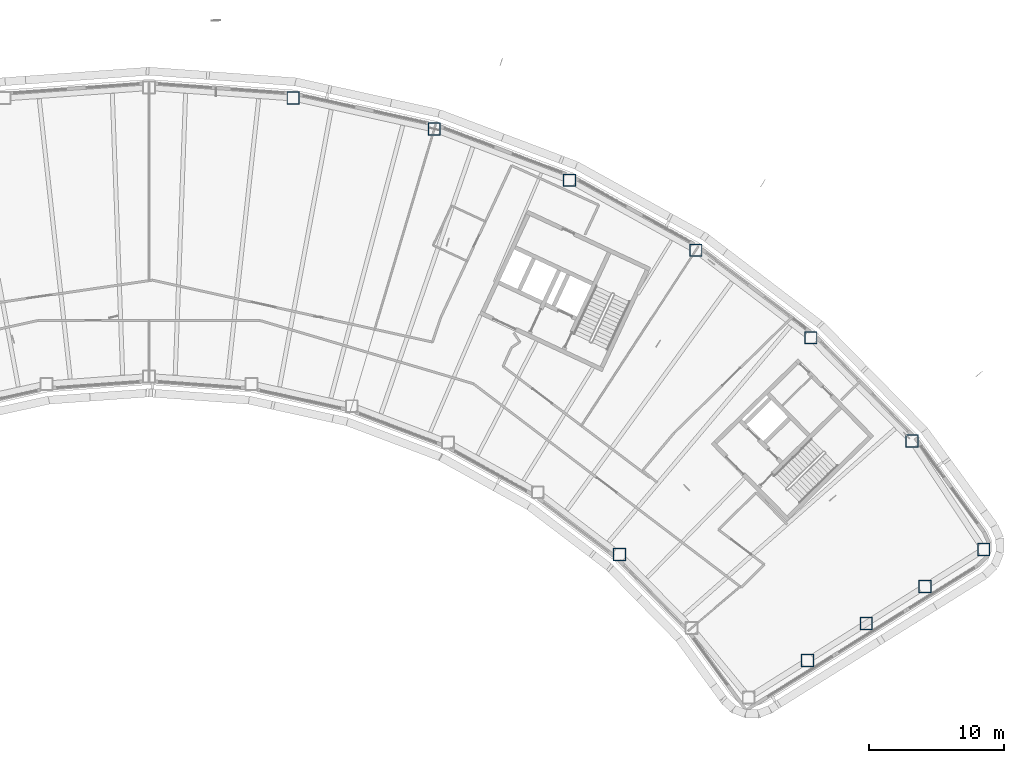
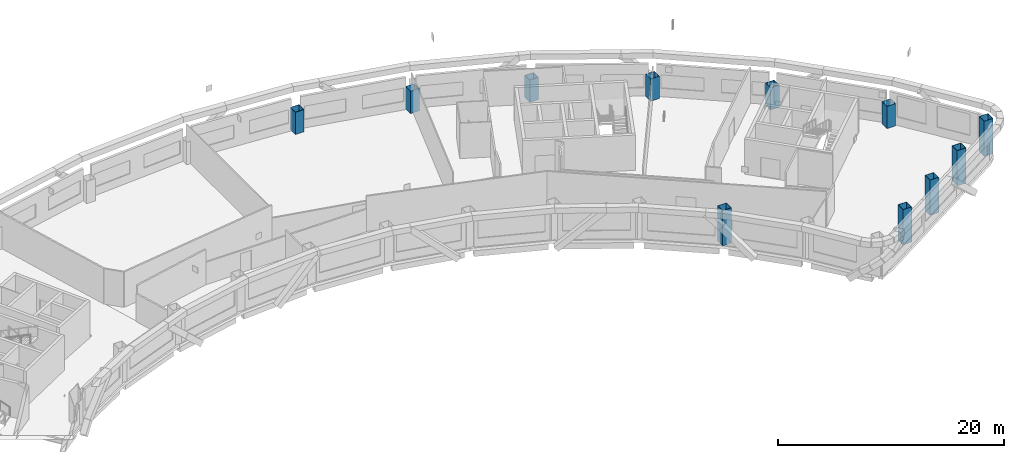
# One storey, part 2 of 20: 11 columns.
"""IFC4 building model written with IfcOpenShell, lengths in metres."""

from ifc_helpers import new_model, si_unit, direction, frame, origin, origin_2d, place, context, subcontext, project, spatial, hollow_rectangle, extrude, material, material_profile, profile_set, type_object, element, save


model = new_model("IFC4")

# Units and contexts
model_context = context("Model", 3, precision=1e-05, world=origin(), true_north=direction((0.0, 1.0)))
body_context = subcontext(model_context, "Body", "Model", "MODEL_VIEW")
ifc_project = project(units=[si_unit("LENGTHUNIT", "METRE"), si_unit("AREAUNIT", "SQUARE_METRE"), si_unit("VOLUMEUNIT", "CUBIC_METRE"), si_unit("PLANEANGLEUNIT", "RADIAN"), si_unit("MASSUNIT", "GRAM", prefix="KILO")], contexts=[model_context])

# Site, building, storey
site_placement = place(None, origin())
site = spatial("IfcSite", under=ifc_project, at=site_placement, CompositionType="ELEMENT")
building_placement = place(site_placement, origin())
building = spatial("IfcBuilding", under=site, at=building_placement, Name="Tuul Gate Civic Tower", CompositionType="ELEMENT")
storey_placement = place(building_placement, frame((0.0, 0.0, 197.300048828125)))
storey = spatial("IfcBuildingStorey", under=building, at=storey_placement, Name="Level 45", CompositionType="ELEMENT", Elevation=197.300048828125)

# Columns
ifc_material = material(Name="Steel S355", Category="steel")
ifc_material_profile = material_profile(ifc_material, hollow_rectangle(XDim=0.89990234375, YDim=0.89990234375, WallThickness=0.031982421875, at=origin_2d()), Name="BOX900x900x32")
ifc_profile_set = profile_set([ifc_material_profile], Name="Steel S355")
column_type = type_object("IfcColumnType", Name="STR-COLUMN-BOX900x900x32", PredefinedType="COLUMN", material=ifc_profile_set)
column_placement = place(storey_placement, frame((62.660888671875, -20.512939453125, 0.0), z_axis=(0.0, 0.0, 1.0), x_axis=(1.0, 0.0, 0.0)))
element("IfcColumn", 1, at=column_placement, inside=storey, type_object=column_type, Name="Column", PredefinedType="COLUMN", context=body_context, shape_type="SweptSolid", body=[
    extrude(hollow_rectangle(XDim=0.89990234375, YDim=0.89990234375, WallThickness=0.031982421875, at=origin_2d()), origin(), (0.0, 0.0, 1.0), 3.800048828125),
])
for number, where, z_axis, x_axis, name in (
    (2, (57.362060546875, -12.5, 0.0), (0.0, 0.0, 1.0), (1.0, 0.0, 0.0), "Column"),
    (3, (49.886962890625, -4.875, 0.0), (0.0, 0.0, 1.0), (1.0, 0.0, 0.0), "Column"),
    (4, (41.39208984375, 1.593017578125, 0.0), (0.0, 0.0, 1.0), (1.0, 0.0, 0.0), "Column"),
    (5, (32.053955078125, 6.77001953125, 0.0), (0.0, 0.0, 1.0), (1.0, 0.0, 0.0), "Column"),
    (6, (22.06689453125, 10.5458984375, 0.0), (0.0, 0.0, 1.0), (1.0, 0.0, 0.0), "Column"),
    (7, (11.638916015625, 12.843994140625, 0.0), (0.0, 0.0, 1.0), (1.0, 0.0, 0.0), "Column"),
):
    element("IfcColumn", number, at=place(storey_placement, frame(where, z_axis=z_axis, x_axis=x_axis)), inside=storey, type_object=column_type, Name=name, PredefinedType="COLUMN", context=body_context, shape_type="SweptSolid", body=[
        extrude(hollow_rectangle(XDim=0.89990234375, YDim=0.89990234375, WallThickness=0.031982421875, at=origin_2d()), origin(), (0.0, 0.0, 1.0), 2.39990234375),
    ])
for number, where, z_axis, x_axis, name in (
    (8, (35.757080078125, -20.886962890625, 0.0), (0.0, 0.0, 1.0), (1.0, 0.0, 0.0), "Column"),
    (9, (49.633056640625, -28.716064453125, 0.0), (0.0, 0.0, 1.0), (1.0, 0.0, 0.0), "Column"),
    (10, (53.97607421875, -25.98193359375, 0.0), (0.0, 0.0, 1.0), (1.0, 0.0, 0.0), "Column"),
    (11, (58.318115234375, -23.2470703125, 0.0), (0.0, 0.0, 1.0), (1.0, 0.0, 0.0), "Column"),
):
    element("IfcColumn", number, at=place(storey_placement, frame(where, z_axis=z_axis, x_axis=x_axis)), inside=storey, type_object=column_type, Name=name, PredefinedType="COLUMN", context=body_context, shape_type="SweptSolid", body=[
        extrude(hollow_rectangle(XDim=0.89990234375, YDim=0.89990234375, WallThickness=0.031982421875, at=origin_2d()), origin(), (0.0, 0.0, 1.0), 3.800048828125),
    ])

save(model, "model.ifc")
